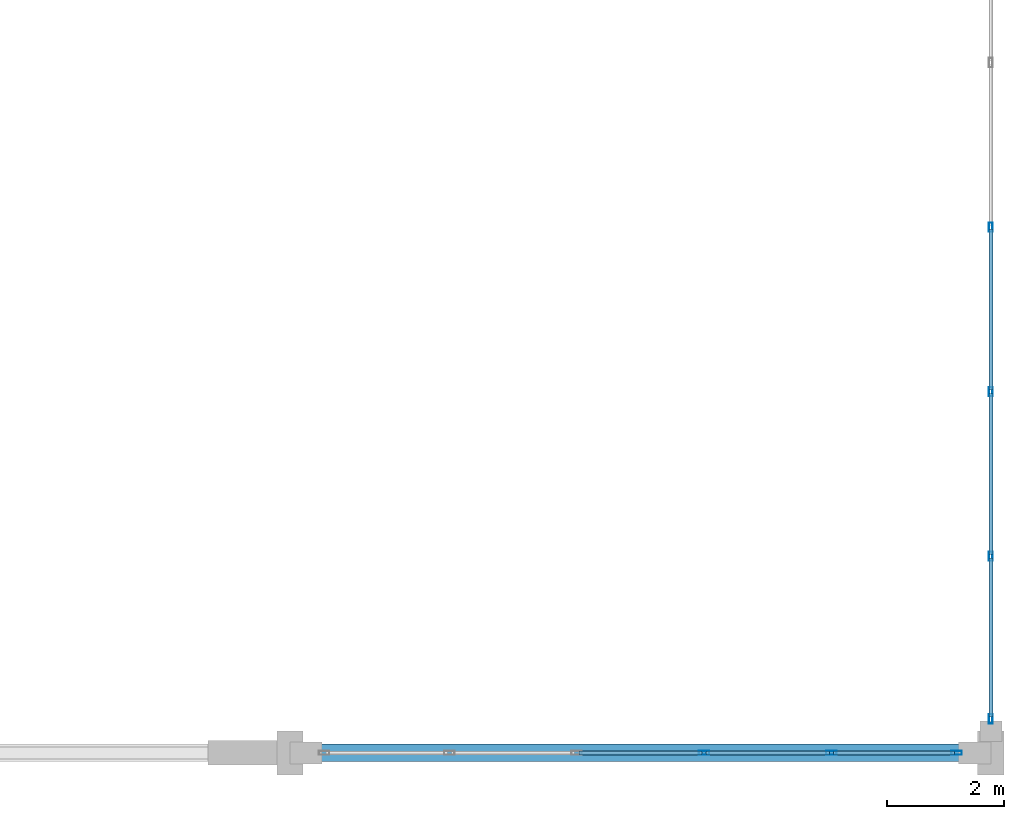
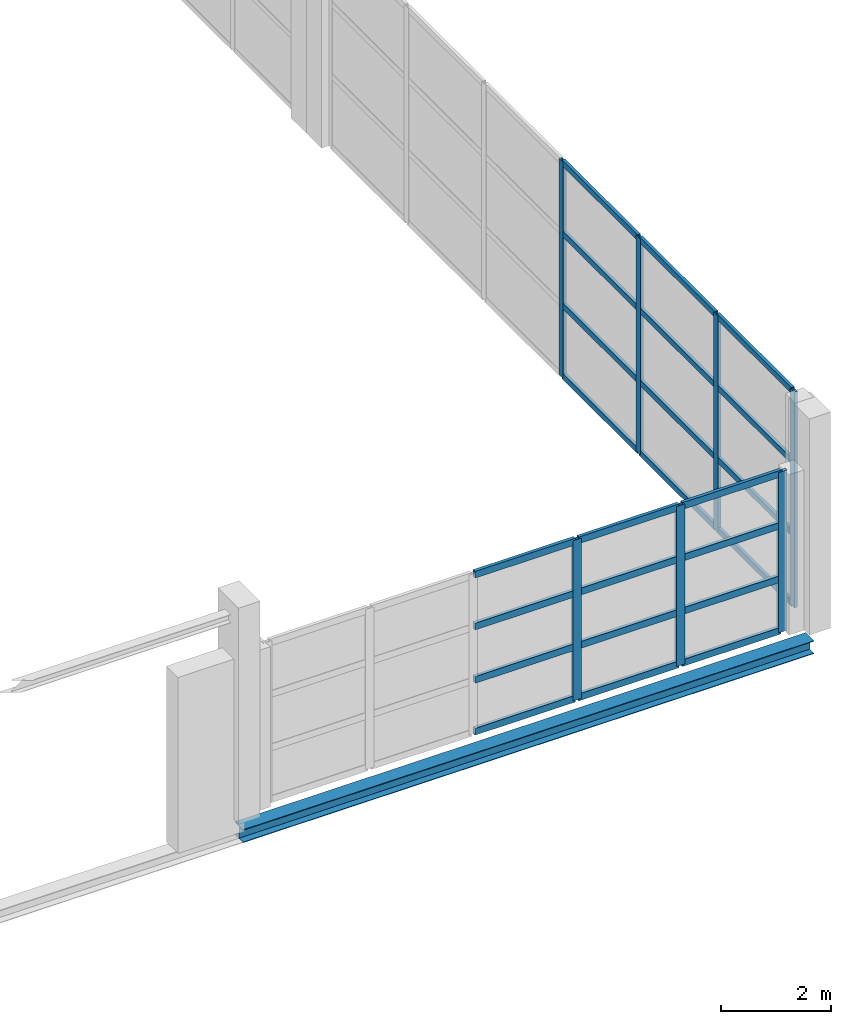
# One storey, part 83 of 147: 31 members, 1 beam, 2 elements without a shape of their own.
"""IFC4 building model written with IfcOpenShell, lengths in metres."""

from ifc_helpers import new_model, si_unit, direction, frame, origin, origin_2d, place, context, subcontext, project, spatial, hollow_rectangle, i_section, extrude, material, layer, layer_set, material_profile, profile_set, type_object, element, aggregate, save


model = new_model("IFC4")

# Units and contexts
model_context = context("Model", 3, precision=1e-05, world=origin(), true_north=direction((0.0, 1.0)))
body_context = subcontext(model_context, "Body", "Model", "MODEL_VIEW")
ifc_project = project(units=[si_unit("LENGTHUNIT", "METRE"), si_unit("AREAUNIT", "SQUARE_METRE"), si_unit("VOLUMEUNIT", "CUBIC_METRE"), si_unit("PLANEANGLEUNIT", "RADIAN"), si_unit("MASSUNIT", "GRAM", prefix="KILO")], contexts=[model_context])

# Site, building, storey
site_placement = place(None, origin())
site = spatial("IfcSite", under=ifc_project, at=site_placement, CompositionType="ELEMENT")
building_placement = place(site_placement, origin())
building = spatial("IfcBuilding", under=site, at=building_placement, Name="Zilviju Railside Exhibition Hall", CompositionType="ELEMENT")
storey_placement = place(building_placement, frame((0.0, 0.0, 8.39990234375)))
storey = spatial("IfcBuildingStorey", under=building, at=storey_placement, Name="L03", CompositionType="ELEMENT", Elevation=8.39990234375)

# Beam
ifc_material_1 = material(Name="Steel S355J2", Category="steel")
ifc_material_profile_1 = material_profile(ifc_material_1, i_section(OverallWidth=0.300048828125, OverallDepth=0.2900390625, WebThickness=0.008544921875, FlangeThickness=0.013916015625, at=origin_2d()), Name="HEA 300")
ifc_profile_set_1 = profile_set([ifc_material_profile_1], Name="Steel S355J2")
beam_type = type_object("IfcBeamType", Name="BM-HEA300", PredefinedType="SPANDREL", material=ifc_profile_set_1)
beam_placement = place(storey_placement, frame((204.0, 0.0, -0.48486328125), z_axis=(1.0, 0.0, 0.0), x_axis=(0.0, 1.0, 0.0)))
element("IfcBeam", 1, at=beam_placement, inside=storey, type_object=beam_type, Name="Primary Girder L03 Y=0.0 (204.0..216.0)", PredefinedType="SPANDREL", context=body_context, shape_type="SweptSolid", body=[
    extrude(i_section(OverallWidth=0.300048828125, OverallDepth=0.2900390625, WebThickness=0.008544921875, FlangeThickness=0.013916015625, at=origin_2d()), origin(), (0.0, 0.0, 1.0), 12.0),
])

# Curtain wall, members
ifc_material_2 = material(Name="Thermally broken aluminium-steel triple-glazed curtain wall", Category="steel")
ifc_layer_1 = layer(ifc_material_2, 0.179931640625)
ifc_layer_set_1 = layer_set([ifc_layer_1], Name="Thermally broken aluminium-steel triple-glazed curtain wall")
curtain_wall_type_1 = type_object("IfcCurtainWallType", Name="CW-BAY-16", PredefinedType="USERDEFINED", material=ifc_layer_set_1)
curtain_wall_1_placement = place(storey_placement, origin())
curtain_wall_1 = element("IfcCurtainWall", 2, at=curtain_wall_1_placement, inside=storey, type_object=curtain_wall_type_1, Name="South Hall East Glazed Gable L03 (0..18)", ObjectType="GLAZED CURTAIN WALL", PredefinedType="USERDEFINED")
ifc_material_3 = material(Name="Thermally broken anodized aluminium mullion", Category="aluminium")
ifc_material_profile_2 = material_profile(ifc_material_3, hollow_rectangle(XDim=0.06494140625, YDim=0.159912109375, WallThickness=0.0048828125, at=origin_2d()), Name="MULLION 160x65x5")
ifc_profile_set_2 = profile_set([ifc_material_profile_2], Name="Thermally broken anodized aluminium mullion")
member_type_1 = type_object("IfcMemberType", Name="CWM-65x160", PredefinedType="MULLION", material=ifc_profile_set_2)
member_1_placement = place(storey_placement, frame((216.0, 9.0, 0.0), z_axis=(0.0, 0.0, 1.0), x_axis=(1.0, 0.0, 0.0)))
member_1 = element("IfcMember", 3, at=member_1_placement, type_object=member_type_1, Name="CW-16 mullion 4", PredefinedType="MULLION", context=body_context, shape_type="SweptSolid", body=[
    extrude(hollow_rectangle(XDim=0.06494140625, YDim=0.159912109375, WallThickness=0.0048828125, at=origin_2d()), origin(), (0.0, 0.0, 1.0), 4.800048828125),
])
member_2_placement = place(storey_placement, frame((216.0, 6.183349609375, 0.0), z_axis=(0.0, 0.0, 1.0), x_axis=(1.0, 0.0, 0.0)))
member_2 = element("IfcMember", 4, at=member_2_placement, type_object=member_type_1, Name="CW-16 mullion 5", PredefinedType="MULLION", context=body_context, shape_type="SweptSolid", body=[
    extrude(hollow_rectangle(XDim=0.06494140625, YDim=0.159912109375, WallThickness=0.0048828125, at=origin_2d()), origin(), (0.0, 0.0, 1.0), 4.800048828125),
])
member_3_placement = place(storey_placement, frame((216.0, 3.36669921875, 0.0), z_axis=(0.0, 0.0, 1.0), x_axis=(1.0, 0.0, 0.0)))
member_3 = element("IfcMember", 5, at=member_3_placement, type_object=member_type_1, Name="CW-16 mullion 6", PredefinedType="MULLION", context=body_context, shape_type="SweptSolid", body=[
    extrude(hollow_rectangle(XDim=0.06494140625, YDim=0.159912109375, WallThickness=0.0048828125, at=origin_2d()), origin(), (0.0, 0.0, 1.0), 4.800048828125),
])
member_4_placement = place(storey_placement, frame((216.0, 0.58251953125, 0.0), z_axis=(0.0, 0.0, 1.0), x_axis=(1.0, 0.0, 0.0)))
member_4 = element("IfcMember", 6, at=member_4_placement, type_object=member_type_1, Name="CW-16 mullion 7", PredefinedType="MULLION", context=body_context, shape_type="SweptSolid", body=[
    extrude(hollow_rectangle(XDim=0.06494140625, YDim=0.159912109375, WallThickness=0.0048828125, at=origin_2d()), origin(), (0.0, 0.0, 1.0), 4.800048828125),
])

ifc_layer_2 = layer(ifc_material_2, 0.179931640625)
ifc_layer_set_2 = layer_set([ifc_layer_2], Name="Thermally broken aluminium-steel triple-glazed curtain wall")
curtain_wall_type_2 = type_object("IfcCurtainWallType", Name="CW-BAY-03", PredefinedType="USERDEFINED", material=ifc_layer_set_2)
curtain_wall_2_placement = place(storey_placement, origin())
curtain_wall_2 = element("IfcCurtainWall", 7, at=curtain_wall_2_placement, inside=storey, type_object=curtain_wall_type_2, Name="South Hall Facade Curtain Wall L03 (204..216)", ObjectType="GLAZED CURTAIN WALL", PredefinedType="USERDEFINED")
ifc_material_profile_3 = material_profile(ifc_material_3, hollow_rectangle(XDim=0.070068359375, YDim=0.179931640625, WallThickness=0.0048828125, at=origin_2d()), Name="MULLION 180x70x5")
ifc_profile_set_3 = profile_set([ifc_material_profile_3], Name="Thermally broken anodized aluminium mullion")
member_type_2 = type_object("IfcMemberType", Name="CWM-70x180", PredefinedType="MULLION", material=ifc_profile_set_3)
member_5_placement = place(storey_placement, frame((215.4150390625, 0.0, 0.0), z_axis=(0.0, 0.0, 1.0), x_axis=(0.0, -1.0, 0.0)))
member_5 = element("IfcMember", 8, at=member_5_placement, type_object=member_type_2, Name="CW-03 mullion 1", PredefinedType="MULLION", context=body_context, shape_type="SweptSolid", body=[
    extrude(hollow_rectangle(XDim=0.070068359375, YDim=0.179931640625, WallThickness=0.0048828125, at=origin_2d()), origin(), (0.0, 0.0, 1.0), 3.56005859375),
])
member_6_placement = place(storey_placement, frame((213.27001953125, 0.0, 0.0), z_axis=(0.0, 0.0, 1.0), x_axis=(0.0, -1.0, 0.0)))
member_6 = element("IfcMember", 9, at=member_6_placement, type_object=member_type_2, Name="CW-03 mullion 2", PredefinedType="MULLION", context=body_context, shape_type="SweptSolid", body=[
    extrude(hollow_rectangle(XDim=0.070068359375, YDim=0.179931640625, WallThickness=0.0048828125, at=origin_2d()), origin(), (0.0, 0.0, 1.0), 3.56005859375),
])
member_7_placement = place(storey_placement, frame((211.090087890625, 0.0, 0.0), z_axis=(0.0, 0.0, 1.0), x_axis=(0.0, -1.0, 0.0)))
member_7 = element("IfcMember", 10, at=member_7_placement, type_object=member_type_2, Name="CW-03 mullion 3", PredefinedType="MULLION", context=body_context, shape_type="SweptSolid", body=[
    extrude(hollow_rectangle(XDim=0.070068359375, YDim=0.179931640625, WallThickness=0.0048828125, at=origin_2d()), origin(), (0.0, 0.0, 1.0), 3.56005859375),
])

# Member
ifc_material_4 = material(Name="Thermally broken anodized aluminium transom", Category="aluminium")
ifc_material_profile_4 = material_profile(ifc_material_4, hollow_rectangle(XDim=0.06494140625, YDim=0.1298828125, WallThickness=0.0048828125, at=origin_2d()), Name="TRANSOM 130x65x5")
ifc_profile_set_4 = profile_set([ifc_material_profile_4], Name="Thermally broken anodized aluminium transom")
member_type_3 = type_object("IfcMemberType", Name="CWT-65x130", PredefinedType="USERDEFINED", material=ifc_profile_set_4)
member_8_placement = place(storey_placement, frame((216.0, 8.967529296875, 0.03271484375), z_axis=(0.0, -1.0, 0.0), x_axis=(1.0, 0.0, 0.0)))
member_8 = element("IfcMember", 11, at=member_8_placement, type_object=member_type_3, Name="CW-16 transom 4.1", ObjectType="TRANSOM", PredefinedType="USERDEFINED", context=body_context, shape_type="SweptSolid", body=[
    extrude(hollow_rectangle(XDim=0.06494140625, YDim=0.1298828125, WallThickness=0.0048828125, at=origin_2d()), origin(), (0.0, 0.0, 1.0), 2.751708984375),
])

member_9_placement = place(storey_placement, frame((216.0, 8.967529296875, 1.60009765625), z_axis=(0.0, -1.0, 0.0), x_axis=(1.0, 0.0, 0.0)))
member_9 = element("IfcMember", 12, at=member_9_placement, type_object=member_type_3, Name="CW-16 transom 4.2", ObjectType="TRANSOM", PredefinedType="USERDEFINED", context=body_context, shape_type="SweptSolid", body=[
    extrude(hollow_rectangle(XDim=0.06494140625, YDim=0.1298828125, WallThickness=0.0048828125, at=origin_2d()), origin(), (0.0, 0.0, 1.0), 2.751708984375),
])

member_10_placement = place(storey_placement, frame((216.0, 8.967529296875, 3.2001953125), z_axis=(0.0, -1.0, 0.0), x_axis=(1.0, 0.0, 0.0)))
member_10 = element("IfcMember", 13, at=member_10_placement, type_object=member_type_3, Name="CW-16 transom 4.3", ObjectType="TRANSOM", PredefinedType="USERDEFINED", context=body_context, shape_type="SweptSolid", body=[
    extrude(hollow_rectangle(XDim=0.06494140625, YDim=0.1298828125, WallThickness=0.0048828125, at=origin_2d()), origin(), (0.0, 0.0, 1.0), 2.751708984375),
])

member_11_placement = place(storey_placement, frame((216.0, 8.967529296875, 4.767578125), z_axis=(0.0, -1.0, 0.0), x_axis=(1.0, 0.0, 0.0)))
member_11 = element("IfcMember", 14, at=member_11_placement, type_object=member_type_3, Name="CW-16 transom 4.4", ObjectType="TRANSOM", PredefinedType="USERDEFINED", context=body_context, shape_type="SweptSolid", body=[
    extrude(hollow_rectangle(XDim=0.06494140625, YDim=0.1298828125, WallThickness=0.0048828125, at=origin_2d()), origin(), (0.0, 0.0, 1.0), 2.751708984375),
])

member_12_placement = place(storey_placement, frame((216.0, 6.15087890625, 0.03271484375), z_axis=(0.0, -1.0, 0.0), x_axis=(1.0, 0.0, 0.0)))
member_12 = element("IfcMember", 15, at=member_12_placement, type_object=member_type_3, Name="CW-16 transom 5.1", ObjectType="TRANSOM", PredefinedType="USERDEFINED", context=body_context, shape_type="SweptSolid", body=[
    extrude(hollow_rectangle(XDim=0.06494140625, YDim=0.1298828125, WallThickness=0.0048828125, at=origin_2d()), origin(), (0.0, 0.0, 1.0), 2.751708984375),
])

member_13_placement = place(storey_placement, frame((216.0, 6.15087890625, 1.60009765625), z_axis=(0.0, -1.0, 0.0), x_axis=(1.0, 0.0, 0.0)))
member_13 = element("IfcMember", 16, at=member_13_placement, type_object=member_type_3, Name="CW-16 transom 5.2", ObjectType="TRANSOM", PredefinedType="USERDEFINED", context=body_context, shape_type="SweptSolid", body=[
    extrude(hollow_rectangle(XDim=0.06494140625, YDim=0.1298828125, WallThickness=0.0048828125, at=origin_2d()), origin(), (0.0, 0.0, 1.0), 2.751708984375),
])

member_14_placement = place(storey_placement, frame((216.0, 6.15087890625, 3.2001953125), z_axis=(0.0, -1.0, 0.0), x_axis=(1.0, 0.0, 0.0)))
member_14 = element("IfcMember", 17, at=member_14_placement, type_object=member_type_3, Name="CW-16 transom 5.3", ObjectType="TRANSOM", PredefinedType="USERDEFINED", context=body_context, shape_type="SweptSolid", body=[
    extrude(hollow_rectangle(XDim=0.06494140625, YDim=0.1298828125, WallThickness=0.0048828125, at=origin_2d()), origin(), (0.0, 0.0, 1.0), 2.751708984375),
])

member_15_placement = place(storey_placement, frame((216.0, 6.15087890625, 4.767578125), z_axis=(0.0, -1.0, 0.0), x_axis=(1.0, 0.0, 0.0)))
member_15 = element("IfcMember", 18, at=member_15_placement, type_object=member_type_3, Name="CW-16 transom 5.4", ObjectType="TRANSOM", PredefinedType="USERDEFINED", context=body_context, shape_type="SweptSolid", body=[
    extrude(hollow_rectangle(XDim=0.06494140625, YDim=0.1298828125, WallThickness=0.0048828125, at=origin_2d()), origin(), (0.0, 0.0, 1.0), 2.751708984375),
])

member_16_placement = place(storey_placement, frame((216.0, 3.334228515625, 0.03271484375), z_axis=(0.0, -1.0, 0.0), x_axis=(1.0, 0.0, 0.0)))
member_16 = element("IfcMember", 19, at=member_16_placement, type_object=member_type_3, Name="CW-16 transom 6.1", ObjectType="TRANSOM", PredefinedType="USERDEFINED", context=body_context, shape_type="SweptSolid", body=[
    extrude(hollow_rectangle(XDim=0.06494140625, YDim=0.1298828125, WallThickness=0.0048828125, at=origin_2d()), origin(), (0.0, 0.0, 1.0), 2.71923828125),
])

member_17_placement = place(storey_placement, frame((216.0, 3.334228515625, 1.60009765625), z_axis=(0.0, -1.0, 0.0), x_axis=(1.0, 0.0, 0.0)))
member_17 = element("IfcMember", 20, at=member_17_placement, type_object=member_type_3, Name="CW-16 transom 6.2", ObjectType="TRANSOM", PredefinedType="USERDEFINED", context=body_context, shape_type="SweptSolid", body=[
    extrude(hollow_rectangle(XDim=0.06494140625, YDim=0.1298828125, WallThickness=0.0048828125, at=origin_2d()), origin(), (0.0, 0.0, 1.0), 2.71923828125),
])

member_18_placement = place(storey_placement, frame((216.0, 3.334228515625, 3.2001953125), z_axis=(0.0, -1.0, 0.0), x_axis=(1.0, 0.0, 0.0)))
member_18 = element("IfcMember", 21, at=member_18_placement, type_object=member_type_3, Name="CW-16 transom 6.3", ObjectType="TRANSOM", PredefinedType="USERDEFINED", context=body_context, shape_type="SweptSolid", body=[
    extrude(hollow_rectangle(XDim=0.06494140625, YDim=0.1298828125, WallThickness=0.0048828125, at=origin_2d()), origin(), (0.0, 0.0, 1.0), 2.71923828125),
])

member_19_placement = place(storey_placement, frame((216.0, 3.334228515625, 4.767578125), z_axis=(0.0, -1.0, 0.0), x_axis=(1.0, 0.0, 0.0)))
member_19 = element("IfcMember", 22, at=member_19_placement, type_object=member_type_3, Name="CW-16 transom 6.4", ObjectType="TRANSOM", PredefinedType="USERDEFINED", context=body_context, shape_type="SweptSolid", body=[
    extrude(hollow_rectangle(XDim=0.06494140625, YDim=0.1298828125, WallThickness=0.0048828125, at=origin_2d()), origin(), (0.0, 0.0, 1.0), 2.71923828125),
])

aggregate(curtain_wall_1, [member_1, member_2, member_3, member_4, member_8, member_9, member_10, member_11, member_12, member_13, member_14, member_15, member_16, member_17, member_18, member_19])

ifc_material_profile_5 = material_profile(ifc_material_4, hollow_rectangle(XDim=0.070068359375, YDim=0.14990234375, WallThickness=0.0048828125, at=origin_2d()), Name="TRANSOM 150x70x5")
ifc_profile_set_5 = profile_set([ifc_material_profile_5], Name="Thermally broken anodized aluminium transom")
member_type_4 = type_object("IfcMemberType", Name="CWT-70x150", PredefinedType="USERDEFINED", material=ifc_profile_set_5)
member_20_placement = place(storey_placement, frame((215.3798828125, 0.0, 0.03515625), z_axis=(-1.0, 0.0, 0.0), x_axis=(0.0, -1.0, 0.0)))
member_20 = element("IfcMember", 23, at=member_20_placement, type_object=member_type_4, Name="CW-03 transom 1.1", ObjectType="TRANSOM", PredefinedType="USERDEFINED", context=body_context, shape_type="SweptSolid", body=[
    extrude(hollow_rectangle(XDim=0.070068359375, YDim=0.14990234375, WallThickness=0.0048828125, at=origin_2d()), origin(), (0.0, 0.0, 1.0), 2.074951171875),
])

member_21_placement = place(storey_placement, frame((215.3798828125, 0.0, 1.18701171875), z_axis=(-1.0, 0.0, 0.0), x_axis=(0.0, -1.0, 0.0)))
member_21 = element("IfcMember", 24, at=member_21_placement, type_object=member_type_4, Name="CW-03 transom 1.2", ObjectType="TRANSOM", PredefinedType="USERDEFINED", context=body_context, shape_type="SweptSolid", body=[
    extrude(hollow_rectangle(XDim=0.070068359375, YDim=0.14990234375, WallThickness=0.0048828125, at=origin_2d()), origin(), (0.0, 0.0, 1.0), 2.074951171875),
])

member_22_placement = place(storey_placement, frame((215.3798828125, 0.0, 2.373046875), z_axis=(-1.0, 0.0, 0.0), x_axis=(0.0, -1.0, 0.0)))
member_22 = element("IfcMember", 25, at=member_22_placement, type_object=member_type_4, Name="CW-03 transom 1.3", ObjectType="TRANSOM", PredefinedType="USERDEFINED", context=body_context, shape_type="SweptSolid", body=[
    extrude(hollow_rectangle(XDim=0.070068359375, YDim=0.14990234375, WallThickness=0.0048828125, at=origin_2d()), origin(), (0.0, 0.0, 1.0), 2.074951171875),
])

member_23_placement = place(storey_placement, frame((215.3798828125, 0.0, 3.525146484375), z_axis=(-1.0, 0.0, 0.0), x_axis=(0.0, -1.0, 0.0)))
member_23 = element("IfcMember", 26, at=member_23_placement, type_object=member_type_4, Name="CW-03 transom 1.4", ObjectType="TRANSOM", PredefinedType="USERDEFINED", context=body_context, shape_type="SweptSolid", body=[
    extrude(hollow_rectangle(XDim=0.070068359375, YDim=0.14990234375, WallThickness=0.0048828125, at=origin_2d()), origin(), (0.0, 0.0, 1.0), 2.074951171875),
])

member_24_placement = place(storey_placement, frame((213.235107421875, 0.0, 0.03515625), z_axis=(-1.0, 0.0, 0.0), x_axis=(0.0, -1.0, 0.0)))
member_24 = element("IfcMember", 27, at=member_24_placement, type_object=member_type_4, Name="CW-03 transom 2.1", ObjectType="TRANSOM", PredefinedType="USERDEFINED", context=body_context, shape_type="SweptSolid", body=[
    extrude(hollow_rectangle(XDim=0.070068359375, YDim=0.14990234375, WallThickness=0.0048828125, at=origin_2d()), origin(), (0.0, 0.0, 1.0), 2.110107421875),
])

member_25_placement = place(storey_placement, frame((213.235107421875, 0.0, 1.18701171875), z_axis=(-1.0, 0.0, 0.0), x_axis=(0.0, -1.0, 0.0)))
member_25 = element("IfcMember", 28, at=member_25_placement, type_object=member_type_4, Name="CW-03 transom 2.2", ObjectType="TRANSOM", PredefinedType="USERDEFINED", context=body_context, shape_type="SweptSolid", body=[
    extrude(hollow_rectangle(XDim=0.070068359375, YDim=0.14990234375, WallThickness=0.0048828125, at=origin_2d()), origin(), (0.0, 0.0, 1.0), 2.110107421875),
])

member_26_placement = place(storey_placement, frame((213.235107421875, 0.0, 2.373046875), z_axis=(-1.0, 0.0, 0.0), x_axis=(0.0, -1.0, 0.0)))
member_26 = element("IfcMember", 29, at=member_26_placement, type_object=member_type_4, Name="CW-03 transom 2.3", ObjectType="TRANSOM", PredefinedType="USERDEFINED", context=body_context, shape_type="SweptSolid", body=[
    extrude(hollow_rectangle(XDim=0.070068359375, YDim=0.14990234375, WallThickness=0.0048828125, at=origin_2d()), origin(), (0.0, 0.0, 1.0), 2.110107421875),
])

member_27_placement = place(storey_placement, frame((213.235107421875, 0.0, 3.525146484375), z_axis=(-1.0, 0.0, 0.0), x_axis=(0.0, -1.0, 0.0)))
member_27 = element("IfcMember", 30, at=member_27_placement, type_object=member_type_4, Name="CW-03 transom 2.4", ObjectType="TRANSOM", PredefinedType="USERDEFINED", context=body_context, shape_type="SweptSolid", body=[
    extrude(hollow_rectangle(XDim=0.070068359375, YDim=0.14990234375, WallThickness=0.0048828125, at=origin_2d()), origin(), (0.0, 0.0, 1.0), 2.110107421875),
])

member_28_placement = place(storey_placement, frame((211.054931640625, 0.0, 0.03515625), z_axis=(-1.0, 0.0, 0.0), x_axis=(0.0, -1.0, 0.0)))
member_28 = element("IfcMember", 31, at=member_28_placement, type_object=member_type_4, Name="CW-03 transom 3.1", ObjectType="TRANSOM", PredefinedType="USERDEFINED", context=body_context, shape_type="SweptSolid", body=[
    extrude(hollow_rectangle(XDim=0.070068359375, YDim=0.14990234375, WallThickness=0.0048828125, at=origin_2d()), origin(), (0.0, 0.0, 1.0), 2.10986328125),
])

member_29_placement = place(storey_placement, frame((211.054931640625, 0.0, 1.18701171875), z_axis=(-1.0, 0.0, 0.0), x_axis=(0.0, -1.0, 0.0)))
member_29 = element("IfcMember", 32, at=member_29_placement, type_object=member_type_4, Name="CW-03 transom 3.2", ObjectType="TRANSOM", PredefinedType="USERDEFINED", context=body_context, shape_type="SweptSolid", body=[
    extrude(hollow_rectangle(XDim=0.070068359375, YDim=0.14990234375, WallThickness=0.0048828125, at=origin_2d()), origin(), (0.0, 0.0, 1.0), 2.10986328125),
])

member_30_placement = place(storey_placement, frame((211.054931640625, 0.0, 2.373046875), z_axis=(-1.0, 0.0, 0.0), x_axis=(0.0, -1.0, 0.0)))
member_30 = element("IfcMember", 33, at=member_30_placement, type_object=member_type_4, Name="CW-03 transom 3.3", ObjectType="TRANSOM", PredefinedType="USERDEFINED", context=body_context, shape_type="SweptSolid", body=[
    extrude(hollow_rectangle(XDim=0.070068359375, YDim=0.14990234375, WallThickness=0.0048828125, at=origin_2d()), origin(), (0.0, 0.0, 1.0), 2.10986328125),
])

member_31_placement = place(storey_placement, frame((211.054931640625, 0.0, 3.525146484375), z_axis=(-1.0, 0.0, 0.0), x_axis=(0.0, -1.0, 0.0)))
member_31 = element("IfcMember", 34, at=member_31_placement, type_object=member_type_4, Name="CW-03 transom 3.4", ObjectType="TRANSOM", PredefinedType="USERDEFINED", context=body_context, shape_type="SweptSolid", body=[
    extrude(hollow_rectangle(XDim=0.070068359375, YDim=0.14990234375, WallThickness=0.0048828125, at=origin_2d()), origin(), (0.0, 0.0, 1.0), 2.10986328125),
])

aggregate(curtain_wall_2, [member_5, member_6, member_7, member_20, member_21, member_22, member_23, member_24, member_25, member_26, member_27, member_28, member_29, member_30, member_31])

save(model, "model.ifc")
